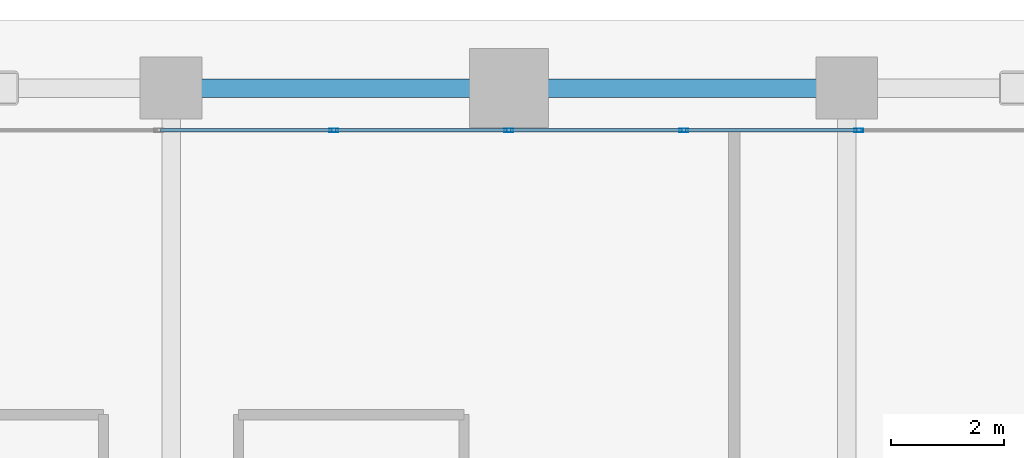
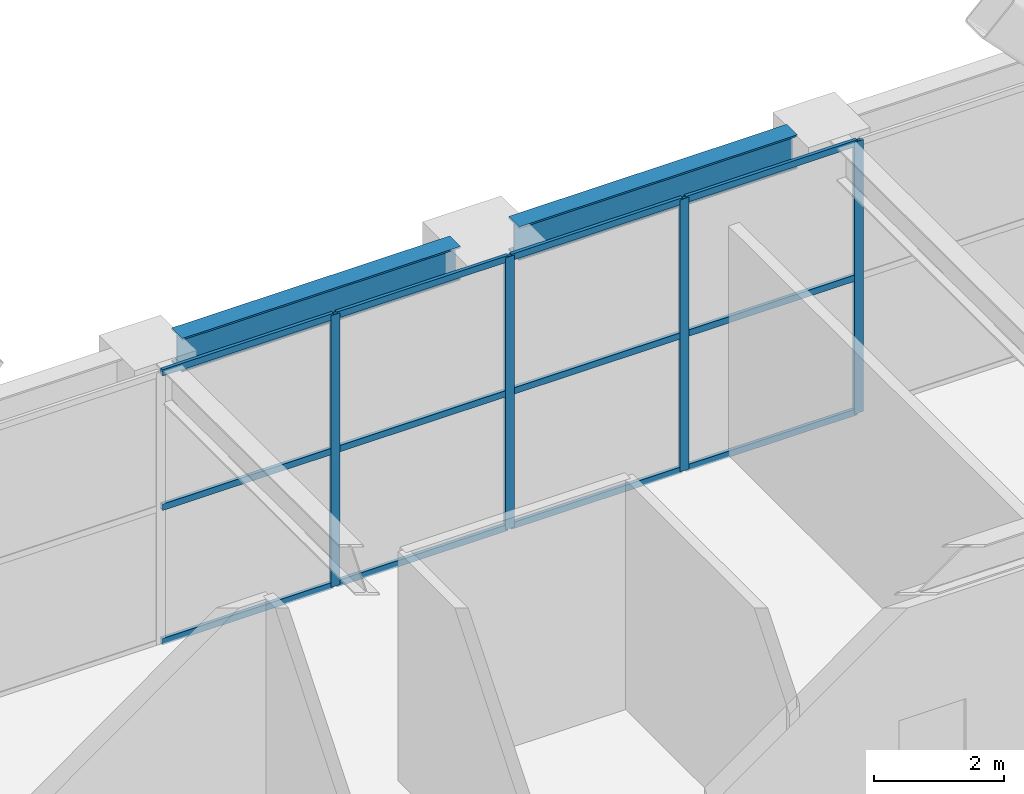
# One storey, part 15 of 28: 16 members, 2 beams, 1 element without a shape of its own.
"""IFC4 building model written with IfcOpenShell, lengths in metres."""

from ifc_helpers import new_model, si_unit, direction, frame, origin, origin_2d, place, context, subcontext, project, spatial, hollow_rectangle, i_section, extrude, material, layer, layer_set, material_profile, profile_set, type_object, element, aggregate, save


model = new_model("IFC4")

# Units and contexts
model_context = context("Model", 3, precision=1e-05, world=origin(), true_north=direction((0.0, 1.0)))
body_context = subcontext(model_context, "Body", "Model", "MODEL_VIEW")
ifc_project = project(units=[si_unit("LENGTHUNIT", "METRE"), si_unit("AREAUNIT", "SQUARE_METRE"), si_unit("VOLUMEUNIT", "CUBIC_METRE"), si_unit("PLANEANGLEUNIT", "RADIAN"), si_unit("MASSUNIT", "GRAM", prefix="KILO")], contexts=[model_context])

# Site, building, storey
site_placement = place(None, origin())
site = spatial("IfcSite", under=ifc_project, at=site_placement, CompositionType="ELEMENT")
building_placement = place(site_placement, origin())
building = spatial("IfcBuilding", under=site, at=building_placement, Name="Sarneth Arch Tower", CompositionType="ELEMENT")
storey_placement = place(building_placement, frame((0.0, 0.0, 6.0)))
storey = spatial("IfcBuildingStorey", under=building, at=storey_placement, Name="L01", CompositionType="ELEMENT", Elevation=6.0)

# Beams
ifc_material_1 = material(Name="Steel S355", Category="steel")
ifc_material_profile_1 = material_profile(ifc_material_1, i_section(OverallWidth=0.3291015625, OverallDepth=0.635009765625, WebThickness=0.017822265625, FlangeThickness=0.031005859375, FilletRadius=0.01904296875, at=origin_2d()), Name="W610x241")
ifc_profile_set_1 = profile_set([ifc_material_profile_1], Name="Steel S355")
beam_type = type_object("IfcBeamType", Name="BM-POD-610", PredefinedType="BEAM", material=ifc_profile_set_1)
for number, where, z_axis, x_axis, name in (
    (1, (42.52001953125, 74.800048828125, 4.802490234375), (1.0, 0.0, 0.0), (0.0, 1.0, 0.0), "L01 Podium PN girder 4"),
    (2, (48.52001953125, 74.800048828125, 4.802490234375), (1.0, 0.0, 0.0), (0.0, 1.0, 0.0), "L01 Podium PN girder 5"),
):
    element("IfcBeam", number, at=place(storey_placement, frame(where, z_axis=z_axis, x_axis=x_axis)), inside=storey, type_object=beam_type, Name=name, PredefinedType="BEAM", context=body_context, shape_type="SweptSolid", body=[
        extrude(i_section(OverallWidth=0.3291015625, OverallDepth=0.635009765625, WebThickness=0.017822265625, FlangeThickness=0.031005859375, FilletRadius=0.01904296875, at=origin_2d()), origin(), (0.0, 0.0, 1.0), 4.9599609375),
    ])

# Curtain wall, members
ifc_material_2 = material(Name="Anodised aluminium Type AA25 and solar-control low-e laminated IGU", Category="aluminium")
ifc_layer = layer(ifc_material_2, 0.199951171875)
ifc_layer_set = layer_set([ifc_layer], Name="Anodised aluminium Type AA25 and solar-control low-e laminated IGU")
curtain_wall_type = type_object("IfcCurtainWallType", Name="CW-ARCH-GLAZE", PredefinedType="NOTDEFINED", material=ifc_layer_set)
curtain_wall_placement = place(storey_placement, origin())
curtain_wall = element("IfcCurtainWall", 3, at=curtain_wall_placement, inside=storey, type_object=curtain_wall_type, Name="L01 North parabolic arch portal curtain wall", PredefinedType="NOTDEFINED")
ifc_material_3 = material(Name="Anodised Aluminium 6063-T6", Category="aluminium")
ifc_material_profile_2 = material_profile(ifc_material_3, hollow_rectangle(XDim=0.06005859375, YDim=0.159912109375, WallThickness=0.00390625, at=origin_2d()), Name="AL-MULL-160x60x4")
ifc_profile_set_2 = profile_set([ifc_material_profile_2], Name="Anodised Aluminium 6063-T6")
member_type_1 = type_object("IfcMemberType", Name="CW-MULLION", PredefinedType="MULLION", material=ifc_profile_set_2)
member_1_placement = place(storey_placement, frame((54.216552734375, 74.050048828125, 0.0), z_axis=(0.0, 0.0, 1.0), x_axis=(0.0, -1.0, 0.0)))
member_1 = element("IfcMember", 4, at=member_1_placement, type_object=member_type_1, Name="CW-SYS-2 mullion 5", PredefinedType="MULLION", context=body_context, shape_type="SweptSolid", body=[
    extrude(hollow_rectangle(XDim=0.06005859375, YDim=0.159912109375, WallThickness=0.00390625, at=origin_2d()), origin(), (0.0, 0.0, 1.0), 5.1201171875),
])
member_2_placement = place(storey_placement, frame((51.1083984375, 74.050048828125, 0.0), z_axis=(0.0, 0.0, 1.0), x_axis=(0.0, -1.0, 0.0)))
member_2 = element("IfcMember", 5, at=member_2_placement, type_object=member_type_1, Name="CW-SYS-2 mullion 6", PredefinedType="MULLION", context=body_context, shape_type="SweptSolid", body=[
    extrude(hollow_rectangle(XDim=0.06005859375, YDim=0.159912109375, WallThickness=0.00390625, at=origin_2d()), origin(), (0.0, 0.0, 1.0), 5.1201171875),
])
member_3_placement = place(storey_placement, frame((48.0, 74.050048828125, 0.0), z_axis=(0.0, 0.0, 1.0), x_axis=(0.0, -1.0, 0.0)))
member_3 = element("IfcMember", 6, at=member_3_placement, type_object=member_type_1, Name="CW-SYS-2 mullion 7", PredefinedType="MULLION", context=body_context, shape_type="SweptSolid", body=[
    extrude(hollow_rectangle(XDim=0.06005859375, YDim=0.159912109375, WallThickness=0.00390625, at=origin_2d()), origin(), (0.0, 0.0, 1.0), 5.1201171875),
])
member_4_placement = place(storey_placement, frame((44.8916015625, 74.050048828125, 0.0), z_axis=(0.0, 0.0, 1.0), x_axis=(0.0, -1.0, 0.0)))
member_4 = element("IfcMember", 7, at=member_4_placement, type_object=member_type_1, Name="CW-SYS-2 mullion 8", PredefinedType="MULLION", context=body_context, shape_type="SweptSolid", body=[
    extrude(hollow_rectangle(XDim=0.06005859375, YDim=0.159912109375, WallThickness=0.00390625, at=origin_2d()), origin(), (0.0, 0.0, 1.0), 5.1201171875),
])
ifc_material_4 = material(Name="Anodised Aluminium 6063-T6", Category="aluminium")
ifc_material_profile_3 = material_profile(ifc_material_4, hollow_rectangle(XDim=0.06005859375, YDim=0.1201171875, WallThickness=0.00390625, at=origin_2d()), Name="AL-TRAN-120x60x4")
ifc_profile_set_3 = profile_set([ifc_material_profile_3], Name="Anodised Aluminium 6063-T6")
member_type_2 = type_object("IfcMemberType", Name="CW-TRANSOM", PredefinedType="USERDEFINED", material=ifc_profile_set_3)
member_5_placement = place(storey_placement, frame((54.186767578125, 74.050048828125, 0.030029296875), z_axis=(-1.0, 0.0, 0.0), x_axis=(0.0, -1.0, 0.0)))
member_5 = element("IfcMember", 8, at=member_5_placement, type_object=member_type_2, Name="CW-SYS-2 transom 5.1", ObjectType="TRANSOM", PredefinedType="USERDEFINED", context=body_context, shape_type="SweptSolid", body=[
    extrude(hollow_rectangle(XDim=0.06005859375, YDim=0.1201171875, WallThickness=0.00390625, at=origin_2d()), origin(), (0.0, 0.0, 1.0), 3.04833984375),
])
member_6_placement = place(storey_placement, frame((54.186767578125, 74.050048828125, 2.56005859375), z_axis=(-1.0, 0.0, 0.0), x_axis=(0.0, -1.0, 0.0)))
member_6 = element("IfcMember", 9, at=member_6_placement, type_object=member_type_2, Name="CW-SYS-2 transom 5.2", ObjectType="TRANSOM", PredefinedType="USERDEFINED", context=body_context, shape_type="SweptSolid", body=[
    extrude(hollow_rectangle(XDim=0.06005859375, YDim=0.1201171875, WallThickness=0.00390625, at=origin_2d()), origin(), (0.0, 0.0, 1.0), 3.04833984375),
])
member_7_placement = place(storey_placement, frame((54.186767578125, 74.050048828125, 5.090087890625), z_axis=(-1.0, 0.0, 0.0), x_axis=(0.0, -1.0, 0.0)))
member_7 = element("IfcMember", 10, at=member_7_placement, type_object=member_type_2, Name="CW-SYS-2 transom 5.3", ObjectType="TRANSOM", PredefinedType="USERDEFINED", context=body_context, shape_type="SweptSolid", body=[
    extrude(hollow_rectangle(XDim=0.06005859375, YDim=0.1201171875, WallThickness=0.00390625, at=origin_2d()), origin(), (0.0, 0.0, 1.0), 3.04833984375),
])
member_8_placement = place(storey_placement, frame((51.078369140625, 74.050048828125, 0.030029296875), z_axis=(-1.0, 0.0, 0.0), x_axis=(0.0, -1.0, 0.0)))
member_8 = element("IfcMember", 11, at=member_8_placement, type_object=member_type_2, Name="CW-SYS-2 transom 6.1", ObjectType="TRANSOM", PredefinedType="USERDEFINED", context=body_context, shape_type="SweptSolid", body=[
    extrude(hollow_rectangle(XDim=0.06005859375, YDim=0.1201171875, WallThickness=0.00390625, at=origin_2d()), origin(), (0.0, 0.0, 1.0), 3.04833984375),
])
member_9_placement = place(storey_placement, frame((51.078369140625, 74.050048828125, 2.56005859375), z_axis=(-1.0, 0.0, 0.0), x_axis=(0.0, -1.0, 0.0)))
member_9 = element("IfcMember", 12, at=member_9_placement, type_object=member_type_2, Name="CW-SYS-2 transom 6.2", ObjectType="TRANSOM", PredefinedType="USERDEFINED", context=body_context, shape_type="SweptSolid", body=[
    extrude(hollow_rectangle(XDim=0.06005859375, YDim=0.1201171875, WallThickness=0.00390625, at=origin_2d()), origin(), (0.0, 0.0, 1.0), 3.04833984375),
])
member_10_placement = place(storey_placement, frame((51.078369140625, 74.050048828125, 5.090087890625), z_axis=(-1.0, 0.0, 0.0), x_axis=(0.0, -1.0, 0.0)))
member_10 = element("IfcMember", 13, at=member_10_placement, type_object=member_type_2, Name="CW-SYS-2 transom 6.3", ObjectType="TRANSOM", PredefinedType="USERDEFINED", context=body_context, shape_type="SweptSolid", body=[
    extrude(hollow_rectangle(XDim=0.06005859375, YDim=0.1201171875, WallThickness=0.00390625, at=origin_2d()), origin(), (0.0, 0.0, 1.0), 3.04833984375),
])
member_11_placement = place(storey_placement, frame((47.969970703125, 74.050048828125, 0.030029296875), z_axis=(-1.0, 0.0, 0.0), x_axis=(0.0, -1.0, 0.0)))
member_11 = element("IfcMember", 14, at=member_11_placement, type_object=member_type_2, Name="CW-SYS-2 transom 7.1", ObjectType="TRANSOM", PredefinedType="USERDEFINED", context=body_context, shape_type="SweptSolid", body=[
    extrude(hollow_rectangle(XDim=0.06005859375, YDim=0.1201171875, WallThickness=0.00390625, at=origin_2d()), origin(), (0.0, 0.0, 1.0), 3.04833984375),
])
member_12_placement = place(storey_placement, frame((47.969970703125, 74.050048828125, 2.56005859375), z_axis=(-1.0, 0.0, 0.0), x_axis=(0.0, -1.0, 0.0)))
member_12 = element("IfcMember", 15, at=member_12_placement, type_object=member_type_2, Name="CW-SYS-2 transom 7.2", ObjectType="TRANSOM", PredefinedType="USERDEFINED", context=body_context, shape_type="SweptSolid", body=[
    extrude(hollow_rectangle(XDim=0.06005859375, YDim=0.1201171875, WallThickness=0.00390625, at=origin_2d()), origin(), (0.0, 0.0, 1.0), 3.04833984375),
])
member_13_placement = place(storey_placement, frame((47.969970703125, 74.050048828125, 5.090087890625), z_axis=(-1.0, 0.0, 0.0), x_axis=(0.0, -1.0, 0.0)))
member_13 = element("IfcMember", 16, at=member_13_placement, type_object=member_type_2, Name="CW-SYS-2 transom 7.3", ObjectType="TRANSOM", PredefinedType="USERDEFINED", context=body_context, shape_type="SweptSolid", body=[
    extrude(hollow_rectangle(XDim=0.06005859375, YDim=0.1201171875, WallThickness=0.00390625, at=origin_2d()), origin(), (0.0, 0.0, 1.0), 3.04833984375),
])
member_14_placement = place(storey_placement, frame((44.861572265625, 74.050048828125, 0.030029296875), z_axis=(-1.0, 0.0, 0.0), x_axis=(0.0, -1.0, 0.0)))
member_14 = element("IfcMember", 17, at=member_14_placement, type_object=member_type_2, Name="CW-SYS-2 transom 8.1", ObjectType="TRANSOM", PredefinedType="USERDEFINED", context=body_context, shape_type="SweptSolid", body=[
    extrude(hollow_rectangle(XDim=0.06005859375, YDim=0.1201171875, WallThickness=0.00390625, at=origin_2d()), origin(), (0.0, 0.0, 1.0), 3.04833984375),
])
member_15_placement = place(storey_placement, frame((44.861572265625, 74.050048828125, 2.56005859375), z_axis=(-1.0, 0.0, 0.0), x_axis=(0.0, -1.0, 0.0)))
member_15 = element("IfcMember", 18, at=member_15_placement, type_object=member_type_2, Name="CW-SYS-2 transom 8.2", ObjectType="TRANSOM", PredefinedType="USERDEFINED", context=body_context, shape_type="SweptSolid", body=[
    extrude(hollow_rectangle(XDim=0.06005859375, YDim=0.1201171875, WallThickness=0.00390625, at=origin_2d()), origin(), (0.0, 0.0, 1.0), 3.04833984375),
])
member_16_placement = place(storey_placement, frame((44.861572265625, 74.050048828125, 5.090087890625), z_axis=(-1.0, 0.0, 0.0), x_axis=(0.0, -1.0, 0.0)))
member_16 = element("IfcMember", 19, at=member_16_placement, type_object=member_type_2, Name="CW-SYS-2 transom 8.3", ObjectType="TRANSOM", PredefinedType="USERDEFINED", context=body_context, shape_type="SweptSolid", body=[
    extrude(hollow_rectangle(XDim=0.06005859375, YDim=0.1201171875, WallThickness=0.00390625, at=origin_2d()), origin(), (0.0, 0.0, 1.0), 3.04833984375),
])
aggregate(curtain_wall, [member_1, member_2, member_3, member_4, member_5, member_6, member_7, member_8, member_9, member_10, member_11, member_12, member_13, member_14, member_15, member_16])

save(model, "model.ifc")
